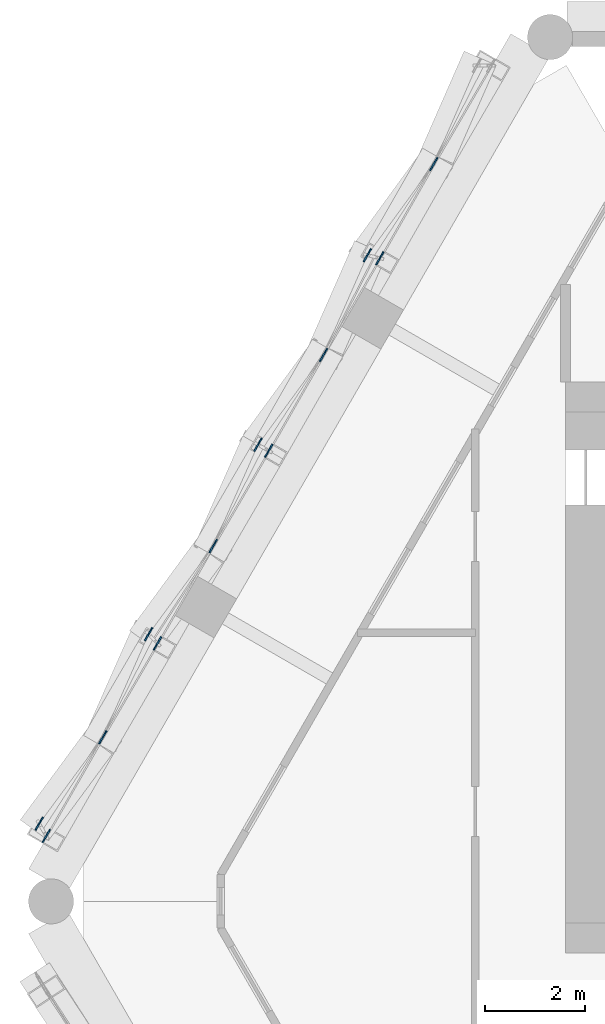
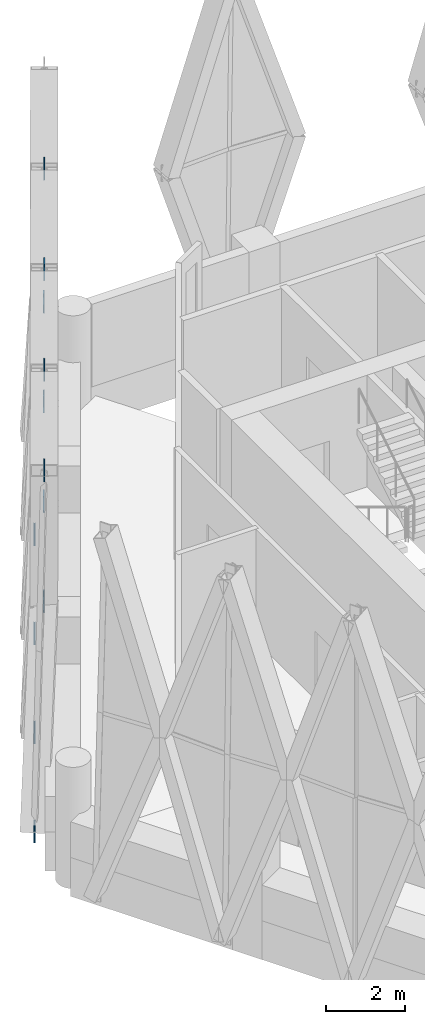
# One storey, part 19 of 22: 12 discrete accessories.
"""IFC4 building model written with IfcOpenShell, lengths in metres."""

from ifc_helpers import new_model, si_unit, direction, frame, origin, origin_2d, place, context, subcontext, project, spatial, rectangle, extrude, material, layer, layer_set, type_object, element, save


model = new_model("IFC4")

# Units and contexts
model_context = context("Model", 3, precision=1e-05, world=origin(), true_north=direction((0.0, 1.0)))
body_context = subcontext(model_context, "Body", "Model", "MODEL_VIEW")
ifc_project = project(units=[si_unit("LENGTHUNIT", "METRE"), si_unit("AREAUNIT", "SQUARE_METRE"), si_unit("VOLUMEUNIT", "CUBIC_METRE"), si_unit("PLANEANGLEUNIT", "RADIAN"), si_unit("MASSUNIT", "GRAM", prefix="KILO")], contexts=[model_context])

# Site, building, storey
site_placement = place(None, origin())
site = spatial("IfcSite", under=ifc_project, at=site_placement, CompositionType="ELEMENT")
building_placement = place(site_placement, origin())
building = spatial("IfcBuilding", under=site, at=building_placement, Name="Ostrander Bayou Hotel Tower", CompositionType="ELEMENT")
storey_placement = place(building_placement, frame((0.0, 0.0, 245.0)))
storey = spatial("IfcBuildingStorey", under=building, at=storey_placement, Name="L60", CompositionType="ELEMENT", Elevation=245.0)

# Discrete accessories
ifc_material = material(Name="Steel ASTM A572 Gr 50", Category="steel")
ifc_layer = layer(ifc_material, 0.030029296875)
ifc_layer_set = layer_set([ifc_layer], Name="GP1 gusset plate 30 mm")
discrete_accessory_type = type_object("IfcDiscreteAccessoryType", Name="GP1 gusset plate 30 mm", PredefinedType="BRACKET", material=ifc_layer_set)
for number, where, z_axis, x_axis, name in (
    (1, (-11.13134765625, 14.054443359375, 4.77490234375), (0.0, 0.0, 1.0), (-0.5, -0.866025403784, 0.0), "GP1 gusset plate lat 385"),
    (2, (-12.45556640625, 12.2353515625, -0.85009765625), (0.0, 0.0, 1.0), (-0.5, -0.866025403784, 0.0), "GP1 gusset plate lat 388"),
    (3, (-12.20751953125, 12.174072265625, 10.39990234375), (0.0, 0.0, 1.0), (-0.5, -0.866025403784, 0.0), "GP1 gusset plate lat 389"),
    (4, (-13.333251953125, 10.240478515625, 4.77490234375), (0.0, 0.0, 1.0), (-0.5, -0.866025403784, 0.0), "GP1 gusset plate lat 390"),
    (5, (-14.6396484375, 8.4521484375, -0.85009765625), (0.0, 0.0, 1.0), (-0.5, -0.866025403784, 0.0), "GP1 gusset plate lat 391"),
    (6, (-14.427001953125, 8.32958984375, 10.39990234375), (0.0, 0.0, 1.0), (-0.5, -0.866025403784, 0.0), "GP1 gusset plate lat 392"),
    (7, (-15.53515625, 6.4267578125, 4.77490234375), (0.0, 0.0, 1.0), (-0.5, -0.866025403784, 0.0), "GP1 gusset plate lat 393"),
    (8, (-16.823974609375, 4.669189453125, -0.85009765625), (0.0, 0.0, 1.0), (-0.5, -0.866025403784, 0.0), "GP1 gusset plate lat 394"),
    (9, (-16.646728515625, 4.485107421875, 10.39990234375), (0.0, 0.0, 1.0), (-0.5, -0.866025403784, 0.0), "GP1 gusset plate lat 395"),
    (10, (-17.737060546875, 2.61279296875, 4.77490234375), (0.0, 0.0, 1.0), (-0.5, -0.866025403784, 0.0), "GP1 gusset plate lat 396"),
    (11, (-19.008056640625, 0.885986328125, -0.85009765625), (0.0, 0.0, 1.0), (-0.5, -0.866025403784, 0.0), "GP1 gusset plate lat 397"),
    (12, (-18.866455078125, 0.640380859375, 10.39990234375), (0.0, 0.0, 1.0), (-0.5, -0.866025403784, 0.0), "GP1 gusset plate lat 398"),
):
    element("IfcDiscreteAccessory", number, at=place(storey_placement, frame(where, z_axis=z_axis, x_axis=x_axis)), inside=storey, type_object=discrete_accessory_type, Name=name, PredefinedType="BRACKET", context=body_context, shape_type="SweptSolid", body=[
        extrude(rectangle(XDim=0.300048828125, YDim=0.030029296875, at=origin_2d()), origin(), (0.0, 0.0, 1.0), 0.5),
    ])

save(model, "model.ifc")
